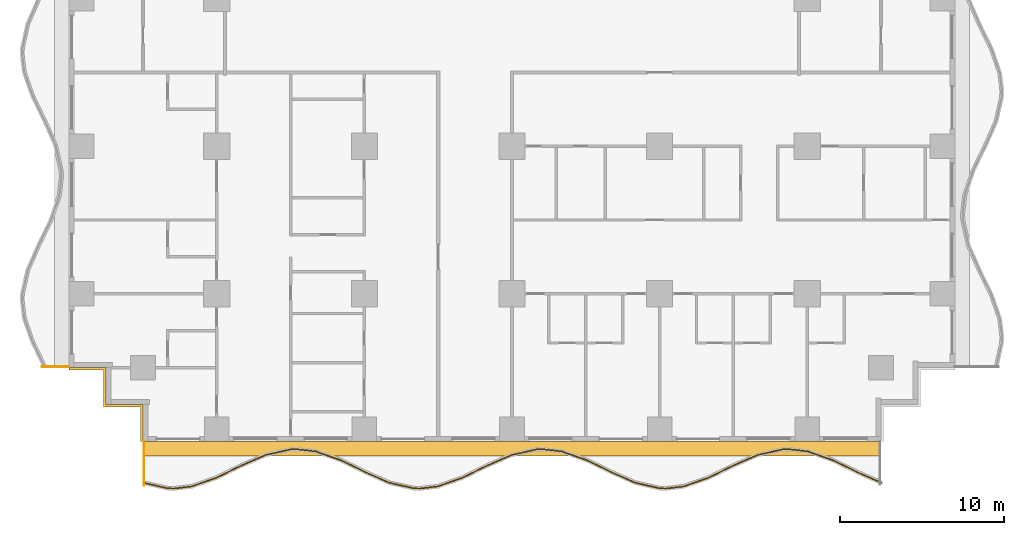
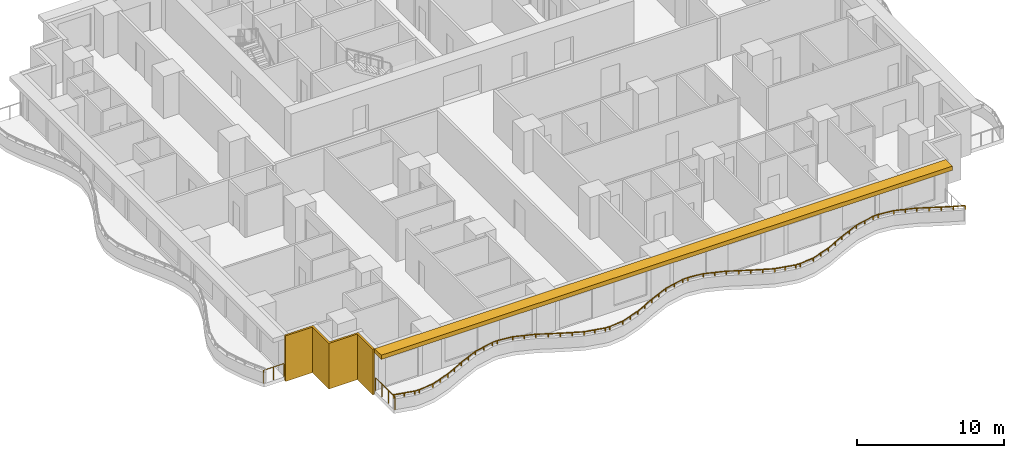
# One storey, part 8 of 14: 3 railings, 2 shading devices.
"""IFC4 building model written with IfcOpenShell, lengths in metres."""

import ifcopenshell
import ifcopenshell.guid

model = None  # the IFC model being written
_history = None  # IfcOwnerHistory: only IFC2X3 demands one
_inside = {}  # id of a spatial element -> (the spatial element, [elements in it])
_under = {}  # id of a project, library or spatial element -> (it, [spatial elements below it])
_declared = {}  # id of a project -> (the project, [libraries it declares])
_typed = {}  # id of a type object -> (the type object, [elements of that type])
_made_of = {}  # id of a material, layer set ... -> (it, [elements and type objects made of it])


def new_model(schema):
    """Start an empty IFC model of exactly this schema.

    Asked for "IFC4X3", IfcOpenShell would pick the latest addendum, in which some entities
    have other attributes; the version numbers below select the first issue.
    IFC2X3 requires an IfcOwnerHistory on every rooted entity: one is made here for all.
    """
    global model, _history
    if schema == "IFC4X3":
        model = ifcopenshell.file(schema_version=(4, 3, 0, 0))
    else:
        model = ifcopenshell.file(schema=schema)
    _inside.clear()
    _under.clear()
    _declared.clear()
    _typed.clear()
    _made_of.clear()
    _history = None
    if model.schema == "IFC2X3":
        org = make("IfcOrganization", Name="unknown")
        user = make(
            "IfcPersonAndOrganization",
            ThePerson=make("IfcPerson", FamilyName="unknown"),
            TheOrganization=org,
        )
        app = make(
            "IfcApplication",
            ApplicationDeveloper=org,
            Version="unknown",
            ApplicationFullName="unknown",
            ApplicationIdentifier="unknown",
        )
        _history = make(
            "IfcOwnerHistory",
            OwningUser=user,
            OwningApplication=app,
            ChangeAction="ADDED",
            CreationDate=0,
        )
    return model


def make(cls, **values):
    """One entity of the class cls with the attributes given. An attribute that is None is left unset."""
    return model.create_entity(
        cls, **{name: value for name, value in values.items() if value is not None}
    )


def rooted(cls, **values):
    """An entity with a GlobalId (a new one), such as an element, a storey or a relation."""
    return make(cls, GlobalId=ifcopenshell.guid.new(), OwnerHistory=_history, **values)


def si_unit(unit_type, name, prefix=None):
    """IfcSIUnit, for example si_unit("LENGTHUNIT", "METRE", prefix="MILLI")."""
    return make("IfcSIUnit", UnitType=unit_type, Prefix=prefix, Name=name)


def assignment(units):
    """IfcUnitAssignment: the units of a project."""
    return None if units is None else make("IfcUnitAssignment", Units=units)


def point(xyz):
    """IfcCartesianPoint."""
    return None if xyz is None else make("IfcCartesianPoint", Coordinates=xyz)


def direction(xyz):
    """IfcDirection."""
    return None if xyz is None else make("IfcDirection", DirectionRatios=xyz)


def frame(location, z_axis=None, x_axis=None):
    """IfcAxis2Placement3D, a coordinate frame: its origin and axes. An axis left out is left unset."""
    return make(
        "IfcAxis2Placement3D",
        Location=point(location),
        Axis=direction(z_axis),
        RefDirection=direction(x_axis),
    )


def frame_2d(location, x_axis=None):
    """IfcAxis2Placement2D, a coordinate frame in the plane: its origin and x axis."""
    return make(
        "IfcAxis2Placement2D", Location=point(location), RefDirection=direction(x_axis)
    )


def origin():
    """The frame at (0, 0, 0) with its axes left unset."""
    return frame((0.0, 0.0, 0.0))


def origin_2d():
    """The frame at (0, 0) in the plane with its x axis left unset."""
    return frame_2d((0.0, 0.0))


def place(relative_to, where):
    """IfcLocalPlacement: puts the frame where relative to a parent placement (None: the world)."""
    return make(
        "IfcLocalPlacement", PlacementRelTo=relative_to, RelativePlacement=where
    )


def context(
    kind, dimensions, precision=None, world=None, true_north=None, identifier=None
):
    """IfcGeometricRepresentationContext, for example the 3D "Model" context."""
    return make(
        "IfcGeometricRepresentationContext",
        ContextIdentifier=identifier,
        ContextType=kind,
        CoordinateSpaceDimension=dimensions,
        Precision=precision,
        WorldCoordinateSystem=world,
        TrueNorth=true_north,
    )


def subcontext(parent, identifier, kind, view, scale=None):
    """IfcGeometricRepresentationSubContext, for example "Body" below "Model"."""
    return make(
        "IfcGeometricRepresentationSubContext",
        ContextIdentifier=identifier,
        ContextType=kind,
        ParentContext=parent,
        TargetScale=scale,
        TargetView=view,
    )


def project(units=None, contexts=None):
    """IfcProject with its units and contexts."""
    return rooted(
        "IfcProject",
        Name="project",
        RepresentationContexts=contexts,
        UnitsInContext=assignment(units),
    )


def spatial(cls, under=None, at=None, **own):
    """A site, building, storey or space (cls), placed at a placement, below another one or the project."""
    s = rooted(cls, ObjectPlacement=at, **own)
    if under is not None:
        _under.setdefault(under.id(), (under, []))[1].append(s)
    return s


def polyline(points):
    """IfcPolyline through the points."""
    return make("IfcPolyline", Points=[point(p) for p in points])


def profile(cls, at=None, kind="AREA", **sizes):
    """A parametric profile (cls). Its sizes go by their IFC names, for example OverallWidth=200.0."""
    return make(cls, ProfileType=kind, Position=at, **sizes)


def rectangle(**sizes):
    """IfcRectangleProfileDef."""
    return profile("IfcRectangleProfileDef", **sizes)


def outline(outer, holes=None, kind="AREA"):
    """IfcArbitraryClosedProfileDef: a profile drawn as a closed curve; with holes, ...WithVoids."""
    if holes is None:
        return make("IfcArbitraryClosedProfileDef", ProfileType=kind, OuterCurve=outer)
    return make(
        "IfcArbitraryProfileDefWithVoids",
        ProfileType=kind,
        OuterCurve=outer,
        InnerCurves=holes,
    )


def extrude(swept, where, along, depth):
    """IfcExtrudedAreaSolid: the profile swept, set in the frame where, extruded along a direction by depth."""
    return make(
        "IfcExtrudedAreaSolid",
        SweptArea=swept,
        Position=where,
        ExtrudedDirection=direction(along),
        Depth=depth,
    )


def shape(context_of_items, identifier, shape_type, items):
    """IfcShapeRepresentation: the items that make up one representation, for example the "Body"."""
    return make(
        "IfcShapeRepresentation",
        ContextOfItems=context_of_items,
        RepresentationIdentifier=identifier,
        RepresentationType=shape_type,
        Items=items,
    )


def material(Name=None, Category=None):
    """IfcMaterial."""
    return make("IfcMaterial", Name=Name, Category=Category)


def layer(
    of_material, thickness, ventilated=None, Name=None, Category=None, Priority=None
):
    """IfcMaterialLayer: one layer of a wall or slab, of a material (None: an air gap)."""
    return make(
        "IfcMaterialLayer",
        Material=of_material,
        LayerThickness=thickness,
        IsVentilated=ventilated,
        Name=Name,
        Category=Category,
        Priority=Priority,
    )


def layer_set(layers, Name=None):
    """IfcMaterialLayerSet."""
    return make("IfcMaterialLayerSet", MaterialLayers=layers, LayerSetName=Name)


def made_of(thing, what):
    """Note that an element or type object is made of a material, layer set ...; save() writes the relation."""
    if what is not None:
        _made_of.setdefault(what.id(), (what, []))[1].append(thing)
    return thing


def type_object(cls, material=None, **own):
    """A type object (cls), such as IfcWallType, which elements share."""
    return made_of(rooted(cls, **own), material)


def element(
    cls,
    number,
    at=None,
    inside=None,
    cuts=None,
    type_object=None,
    material=None,
    context=None,
    identifier="Body",
    shape_type=None,
    held_by="IfcProductDefinitionShape",
    body=None,
    shapes=None,
    **own,
):
    """One element of the class cls, such as IfcWall. Its Tag is "e" and its number.

    at: its placement. inside: the storey or other place that contains it. cuts: it is an
    opening in that element (IfcRelVoidsElement). A single representation is given by context,
    identifier, shape_type and body (its items); several are given by shapes. held_by: the class
    of the entity that holds the representations. save() writes the other relations.
    """
    e = rooted(cls, Tag="e%d" % number, ObjectPlacement=at, **own)
    if body is not None:
        shapes = [shape(context, identifier, shape_type, body)]
    if shapes is not None:
        e.Representation = make(held_by, Representations=shapes)
    if inside is not None:
        _inside.setdefault(inside.id(), (inside, []))[1].append(e)
    if cuts is not None:
        rooted(
            "IfcRelVoidsElement", RelatingBuildingElement=cuts, RelatedOpeningElement=e
        )
    if type_object is not None:
        _typed.setdefault(type_object.id(), (type_object, []))[1].append(e)
    return made_of(e, material)


def aggregate(whole, parts):
    """IfcRelAggregates: a whole, such as a stair, and the parts it consists of."""
    return rooted("IfcRelAggregates", RelatingObject=whole, RelatedObjects=parts)


def save(model, path):
    """Write the relations noted so far, then the file.

    IfcRelAggregates (storeys below a building ...), IfcRelContainedInSpatialStructure (elements
    in a storey), IfcRelDefinesByType, IfcRelAssociatesMaterial and IfcRelDeclares: one each for
    every whole, place, type object, material and project.
    """
    for whole, parts in _under.values():
        aggregate(whole, parts)
    for where, things in _inside.values():
        rooted(
            "IfcRelContainedInSpatialStructure",
            RelatedElements=things,
            RelatingStructure=where,
        )
    for kind, things in _typed.values():
        rooted("IfcRelDefinesByType", RelatedObjects=things, RelatingType=kind)
    for what, things in _made_of.values():
        rooted("IfcRelAssociatesMaterial", RelatedObjects=things, RelatingMaterial=what)
    for by, libraries in _declared.values():
        rooted("IfcRelDeclares", RelatingContext=by, RelatedDefinitions=libraries)
    model.write(path)


model = new_model("IFC4")

# Units and contexts
model_context = context("Model", 3, precision=1e-05, world=origin(), true_north=direction((0.0, 1.0)))
body_context = subcontext(model_context, "Body", "Model", "MODEL_VIEW")
ifc_project = project(units=[si_unit("LENGTHUNIT", "METRE"), si_unit("AREAUNIT", "SQUARE_METRE"), si_unit("VOLUMEUNIT", "CUBIC_METRE"), si_unit("PLANEANGLEUNIT", "RADIAN"), si_unit("MASSUNIT", "GRAM", prefix="KILO")], contexts=[model_context])

# Site, building, storey
site_placement = place(None, origin())
site = spatial("IfcSite", under=ifc_project, at=site_placement, CompositionType="ELEMENT")
building_placement = place(site_placement, origin())
building = spatial("IfcBuilding", under=site, at=building_placement, Name="Orbiselva Terraces", CompositionType="ELEMENT")
storey_placement = place(building_placement, frame((0.0, 0.0, 18.8)))
storey = spatial("IfcBuildingStorey", under=building, at=storey_placement, Name="L04", CompositionType="ELEMENT", Elevation=18.8)

# Railings
ifc_material_1 = material(Name="Bonded two-ply safety glass balustrade, stainless steel posts", Category="steel")
railing_type_1 = type_object("IfcRailingType", Name="ENV-BALUSTRADE-1200", PredefinedType="BALUSTRADE", material=ifc_material_1)
railing_1_placement = place(storey_placement, frame((-22.472623, -25.026563, 0.9)))
element("IfcRailing", 1, at=railing_1_placement, inside=storey, type_object=railing_type_1, Name="Balcony balustrade L04 S", PredefinedType="BALUSTRADE", context=body_context, shape_type="SweptSolid", body=[
    extrude(outline(polyline([(0.028868, 0.0), (0.014434, 0.025), (-0.014434, 0.025), (-0.028868, 0.0), (-0.014434, -0.025), (0.014434, -0.025), (0.028868, 0.0)])), frame((0.0, 0.0, 0.275), z_axis=(0.975721322437, -0.21901575501, 0.0), x_axis=(0.21901575501, 0.975721322437, 0.0)), (0.0, 0.0, 1.0), 1.525954),
    extrude(outline(polyline([(0.028868, 0.0), (0.014434, 0.025), (-0.014434, 0.025), (-0.028868, 0.0), (-0.014434, -0.025), (0.014434, -0.025), (0.028868, 0.0)])), frame((1.488906, -0.334208, 0.275), z_axis=(0.999224931454, -0.039364150694, 0.0), x_axis=(0.039364150694, 0.999224931454, 0.0)), (0.0, 0.0, 1.0), 0.354206),
    extrude(outline(polyline([(0.028868, 0.0), (0.014434, 0.025), (-0.014434, 0.025), (-0.028868, 0.0), (-0.014434, -0.025), (0.014434, -0.025), (0.028868, 0.0)])), frame((1.842837, -0.348151, 0.275), z_axis=(0.993309658409, 0.115481264762, 0.0), x_axis=(-0.115481264762, 0.993309658409, 0.0)), (0.0, 0.0, 1.0), 1.10902),
    extrude(outline(polyline([(0.028868, 0.0), (0.014434, 0.025), (-0.014434, 0.025), (-0.028868, 0.0), (-0.014434, -0.025), (0.014434, -0.025), (0.028868, 0.0)])), frame((2.944437, -0.22008, 0.275), z_axis=(0.943972277814, 0.330024754707, 0.0), x_axis=(-0.330024754707, 0.943972277814, 0.0)), (0.0, 0.0, 1.0), 1.567807),
    extrude(outline(polyline([(0.028868, 0.0), (0.014434, 0.025), (-0.014434, 0.025), (-0.028868, 0.0), (-0.014434, -0.025), (0.014434, -0.025), (0.028868, 0.0)])), frame((4.424403, 0.297335, 0.275), z_axis=(0.89857890432, 0.438811978768, 0.0), x_axis=(-0.438811978768, 0.89857890432, 0.0)), (0.0, 0.0, 1.0), 1.66438),
    extrude(outline(polyline([(0.028868, 0.0), (0.014434, 0.025), (-0.014434, 0.025), (-0.028868, 0.0), (-0.014434, -0.025), (0.014434, -0.025), (0.028868, 0.0)])), frame((5.91998, 1.027685, 0.275), z_axis=(0.915133527237, 0.403150874148, 0.0), x_axis=(-0.403150874148, 0.915133527237, 0.0)), (0.0, 0.0, 1.0), 1.653736),
    extrude(outline(polyline([(0.028868, 0.0), (0.014434, 0.025), (-0.014434, 0.025), (-0.028868, 0.0), (-0.014434, -0.025), (0.014434, -0.025), (0.028868, 0.0)])), frame((7.433369, 1.69439, 0.275), z_axis=(0.97572137947, 0.219015500924, 0.0), x_axis=(-0.219015500924, 0.97572137947, 0.0)), (0.0, 0.0, 1.0), 1.560867),
    extrude(outline(polyline([(0.028868, 0.0), (0.014434, 0.025), (-0.014434, 0.025), (-0.028868, 0.0), (-0.014434, -0.025), (0.014434, -0.025), (0.028868, 0.0)])), frame((8.95634, 2.036244, 0.275), z_axis=(0.999224734286, 0.03936915532, 0.0), x_axis=(-0.03936915532, 0.999224734286, 0.0)), (0.0, 0.0, 1.0), 0.396376),
    extrude(outline(polyline([(0.028868, 0.0), (0.014434, 0.025), (-0.014434, 0.025), (-0.028868, 0.0), (-0.014434, -0.025), (0.014434, -0.025), (0.028868, 0.0)])), frame((9.352409, 2.051849, 0.275), z_axis=(0.993309551734, -0.115482182324, 0.0), x_axis=(0.115482182324, 0.993309551734, 0.0)), (0.0, 0.0, 1.0), 1.156135),
    extrude(outline(polyline([(0.028868, 0.0), (0.014434, 0.025), (-0.014434, 0.025), (-0.028868, 0.0), (-0.014434, -0.025), (0.014434, -0.025), (0.028868, 0.0)])), frame((10.500809, 1.918336, 0.275), z_axis=(0.943972332783, -0.330024597479, 0.0), x_axis=(0.330024597479, 0.943972332783, 0.0)), (0.0, 0.0, 1.0), 1.610253),
    extrude(outline(polyline([(0.028868, 0.0), (0.014434, 0.025), (-0.014434, 0.025), (-0.028868, 0.0), (-0.014434, -0.025), (0.014434, -0.025), (0.028868, 0.0)])), frame((12.020843, 1.386913, 0.275), z_axis=(0.898578870221, -0.438812048596, 0.0), x_axis=(0.438812048596, 0.898578870221, 0.0)), (0.0, 0.0, 1.0), 1.674225),
    extrude(outline(polyline([(0.028868, 0.0), (0.014434, 0.025), (-0.014434, 0.025), (-0.028868, 0.0), (-0.014434, -0.025), (0.014434, -0.025), (0.028868, 0.0)])), frame((13.525266, 0.652243, 0.275), z_axis=(0.915133363686, -0.403151245402, 0.0), x_axis=(0.403151245402, 0.915133363686, 0.0)), (0.0, 0.0, 1.0), 1.624475),
    extrude(outline(polyline([(0.028868, 0.0), (0.014434, 0.025), (-0.014434, 0.025), (-0.028868, 0.0), (-0.014434, -0.025), (0.014434, -0.025), (0.028868, 0.0)])), frame((15.011877, -0.002666, 0.275), z_axis=(0.975721325753, -0.219015740235, 0.0), x_axis=(0.219015740235, 0.975721325753, 0.0)), (0.0, 0.0, 1.0), 1.513782),
    extrude(outline(polyline([(0.028868, 0.0), (0.014434, 0.025), (-0.014434, 0.025), (-0.028868, 0.0), (-0.014434, -0.025), (0.014434, -0.025), (0.028868, 0.0)])), frame((16.488906, -0.334208, 0.275), z_axis=(0.999224931454, -0.039364150694, 0.0), x_axis=(0.039364150694, 0.999224931454, 0.0)), (0.0, 0.0, 1.0), 0.354206),
    extrude(outline(polyline([(0.028868, 0.0), (0.014434, 0.025), (-0.014434, 0.025), (-0.028868, 0.0), (-0.014434, -0.025), (0.014434, -0.025), (0.028868, 0.0)])), frame((16.842837, -0.348151, 0.275), z_axis=(0.993309658409, 0.115481264762, 0.0), x_axis=(-0.115481264762, 0.993309658409, 0.0)), (0.0, 0.0, 1.0), 1.10902),
    extrude(outline(polyline([(0.028868, 0.0), (0.014434, 0.025), (-0.014434, 0.025), (-0.028868, 0.0), (-0.014434, -0.025), (0.014434, -0.025), (0.028868, 0.0)])), frame((17.944437, -0.22008, 0.275), z_axis=(0.943972277814, 0.330024754707, 0.0), x_axis=(-0.330024754707, 0.943972277814, 0.0)), (0.0, 0.0, 1.0), 1.567807),
    extrude(outline(polyline([(0.028868, 0.0), (0.014434, 0.025), (-0.014434, 0.025), (-0.028868, 0.0), (-0.014434, -0.025), (0.014434, -0.025), (0.028868, 0.0)])), frame((19.424403, 0.297335, 0.275), z_axis=(0.89857890432, 0.438811978768, 0.0), x_axis=(-0.438811978768, 0.89857890432, 0.0)), (0.0, 0.0, 1.0), 1.66438),
    extrude(outline(polyline([(0.028868, 0.0), (0.014434, 0.025), (-0.014434, 0.025), (-0.028868, 0.0), (-0.014434, -0.025), (0.014434, -0.025), (0.028868, 0.0)])), frame((20.91998, 1.027685, 0.275), z_axis=(0.915133527237, 0.403150874148, 0.0), x_axis=(-0.403150874148, 0.915133527237, 0.0)), (0.0, 0.0, 1.0), 1.653736),
    extrude(outline(polyline([(0.028868, 0.0), (0.014434, 0.025), (-0.014434, 0.025), (-0.028868, 0.0), (-0.014434, -0.025), (0.014434, -0.025), (0.028868, 0.0)])), frame((22.433369, 1.69439, 0.275), z_axis=(0.97572137947, 0.219015500924, 0.0), x_axis=(-0.219015500924, 0.97572137947, 0.0)), (0.0, 0.0, 1.0), 1.560867),
    extrude(outline(polyline([(0.028868, 0.0), (0.014434, 0.025), (-0.014434, 0.025), (-0.028868, 0.0), (-0.014434, -0.025), (0.014434, -0.025), (0.028868, 0.0)])), frame((23.95634, 2.036244, 0.275), z_axis=(0.999224734286, 0.03936915532, 0.0), x_axis=(-0.03936915532, 0.999224734286, 0.0)), (0.0, 0.0, 1.0), 0.396376),
    extrude(outline(polyline([(0.028868, 0.0), (0.014434, 0.025), (-0.014434, 0.025), (-0.028868, 0.0), (-0.014434, -0.025), (0.014434, -0.025), (0.028868, 0.0)])), frame((24.352409, 2.051849, 0.275), z_axis=(0.993309551734, -0.115482182324, 0.0), x_axis=(0.115482182324, 0.993309551734, 0.0)), (0.0, 0.0, 1.0), 1.156135),
    extrude(outline(polyline([(0.028868, 0.0), (0.014434, 0.025), (-0.014434, 0.025), (-0.028868, 0.0), (-0.014434, -0.025), (0.014434, -0.025), (0.028868, 0.0)])), frame((25.500809, 1.918336, 0.275), z_axis=(0.943972332783, -0.330024597479, 0.0), x_axis=(0.330024597479, 0.943972332783, 0.0)), (0.0, 0.0, 1.0), 1.610253),
    extrude(outline(polyline([(0.028868, 0.0), (0.014434, 0.025), (-0.014434, 0.025), (-0.028868, 0.0), (-0.014434, -0.025), (0.014434, -0.025), (0.028868, 0.0)])), frame((27.020843, 1.386913, 0.275), z_axis=(0.898578870221, -0.438812048596, 0.0), x_axis=(0.438812048596, 0.898578870221, 0.0)), (0.0, 0.0, 1.0), 1.674225),
    extrude(outline(polyline([(0.028868, 0.0), (0.014434, 0.025), (-0.014434, 0.025), (-0.028868, 0.0), (-0.014434, -0.025), (0.014434, -0.025), (0.028868, 0.0)])), frame((28.525266, 0.652243, 0.275), z_axis=(0.915133363686, -0.403151245402, 0.0), x_axis=(0.403151245402, 0.915133363686, 0.0)), (0.0, 0.0, 1.0), 1.624475),
    extrude(outline(polyline([(0.028868, 0.0), (0.014434, 0.025), (-0.014434, 0.025), (-0.028868, 0.0), (-0.014434, -0.025), (0.014434, -0.025), (0.028868, 0.0)])), frame((30.011877, -0.002666, 0.275), z_axis=(0.975721325753, -0.219015740235, 0.0), x_axis=(0.219015740235, 0.975721325753, 0.0)), (0.0, 0.0, 1.0), 1.513782),
    extrude(outline(polyline([(0.028868, 0.0), (0.014434, 0.025), (-0.014434, 0.025), (-0.028868, 0.0), (-0.014434, -0.025), (0.014434, -0.025), (0.028868, 0.0)])), frame((31.488906, -0.334208, 0.275), z_axis=(0.999224931454, -0.039364150694, 0.0), x_axis=(0.039364150694, 0.999224931454, 0.0)), (0.0, 0.0, 1.0), 0.354206),
    extrude(outline(polyline([(0.028868, 0.0), (0.014434, 0.025), (-0.014434, 0.025), (-0.028868, 0.0), (-0.014434, -0.025), (0.014434, -0.025), (0.028868, 0.0)])), frame((31.842837, -0.348151, 0.275), z_axis=(0.993309658409, 0.115481264762, 0.0), x_axis=(-0.115481264762, 0.993309658409, 0.0)), (0.0, 0.0, 1.0), 1.10902),
    extrude(outline(polyline([(0.028868, 0.0), (0.014434, 0.025), (-0.014434, 0.025), (-0.028868, 0.0), (-0.014434, -0.025), (0.014434, -0.025), (0.028868, 0.0)])), frame((32.944437, -0.22008, 0.275), z_axis=(0.943972277814, 0.330024754707, 0.0), x_axis=(-0.330024754707, 0.943972277814, 0.0)), (0.0, 0.0, 1.0), 1.567807),
    extrude(outline(polyline([(0.028868, 0.0), (0.014434, 0.025), (-0.014434, 0.025), (-0.028868, 0.0), (-0.014434, -0.025), (0.014434, -0.025), (0.028868, 0.0)])), frame((34.424403, 0.297335, 0.275), z_axis=(0.89857890432, 0.438811978768, 0.0), x_axis=(-0.438811978768, 0.89857890432, 0.0)), (0.0, 0.0, 1.0), 1.66438),
    extrude(outline(polyline([(0.028868, 0.0), (0.014434, 0.025), (-0.014434, 0.025), (-0.028868, 0.0), (-0.014434, -0.025), (0.014434, -0.025), (0.028868, 0.0)])), frame((35.91998, 1.027685, 0.275), z_axis=(0.915133527237, 0.403150874148, 0.0), x_axis=(-0.403150874148, 0.915133527237, 0.0)), (0.0, 0.0, 1.0), 1.653736),
    extrude(outline(polyline([(0.028868, 0.0), (0.014434, 0.025), (-0.014434, 0.025), (-0.028868, 0.0), (-0.014434, -0.025), (0.014434, -0.025), (0.028868, 0.0)])), frame((37.433369, 1.69439, 0.275), z_axis=(0.97572137947, 0.219015500924, 0.0), x_axis=(-0.219015500924, 0.97572137947, 0.0)), (0.0, 0.0, 1.0), 1.560867),
    extrude(outline(polyline([(0.028868, 0.0), (0.014434, 0.025), (-0.014434, 0.025), (-0.028868, 0.0), (-0.014434, -0.025), (0.014434, -0.025), (0.028868, 0.0)])), frame((38.95634, 2.036244, 0.275), z_axis=(0.999224734286, 0.03936915532, 0.0), x_axis=(-0.03936915532, 0.999224734286, 0.0)), (0.0, 0.0, 1.0), 0.396376),
    extrude(outline(polyline([(0.028868, 0.0), (0.014434, 0.025), (-0.014434, 0.025), (-0.028868, 0.0), (-0.014434, -0.025), (0.014434, -0.025), (0.028868, 0.0)])), frame((39.352409, 2.051849, 0.275), z_axis=(0.993309551734, -0.115482182324, 0.0), x_axis=(0.115482182324, 0.993309551734, 0.0)), (0.0, 0.0, 1.0), 1.156135),
    extrude(outline(polyline([(0.028868, 0.0), (0.014434, 0.025), (-0.014434, 0.025), (-0.028868, 0.0), (-0.014434, -0.025), (0.014434, -0.025), (0.028868, 0.0)])), frame((40.500809, 1.918336, 0.275), z_axis=(0.943972332783, -0.330024597479, 0.0), x_axis=(0.330024597479, 0.943972332783, 0.0)), (0.0, 0.0, 1.0), 1.610253),
    extrude(outline(polyline([(0.028868, 0.0), (0.014434, 0.025), (-0.014434, 0.025), (-0.028868, 0.0), (-0.014434, -0.025), (0.014434, -0.025), (0.028868, 0.0)])), frame((42.020843, 1.386913, 0.275), z_axis=(0.898578870221, -0.438812048596, 0.0), x_axis=(0.438812048596, 0.898578870221, 0.0)), (0.0, 0.0, 1.0), 1.674225),
    extrude(outline(polyline([(0.028868, 0.0), (0.014434, 0.025), (-0.014434, 0.025), (-0.028868, 0.0), (-0.014434, -0.025), (0.014434, -0.025), (0.028868, 0.0)])), frame((43.525266, 0.652243, 0.275), z_axis=(0.915133498047, -0.403150940408, 0.0), x_axis=(0.403150940408, 0.915133498047, 0.0)), (0.0, 0.0, 1.0), 1.636648),
    extrude(rectangle(XDim=0.05, YDim=0.05, at=origin_2d()), origin(), (0.0, 0.0, 1.0), 0.25),
    extrude(rectangle(XDim=0.05, YDim=0.05, at=origin_2d()), frame((0.744453, -0.167104, 0.0)), (0.0, 0.0, 1.0), 0.25),
    extrude(rectangle(XDim=0.05, YDim=0.05, at=origin_2d()), frame((1.488906, -0.334208, 0.0)), (0.0, 0.0, 1.0), 0.25),
    extrude(rectangle(XDim=0.05, YDim=0.05, at=origin_2d()), frame((1.842837, -0.348151, 0.0)), (0.0, 0.0, 1.0), 0.25),
    extrude(rectangle(XDim=0.05, YDim=0.05, at=origin_2d()), frame((2.944437, -0.22008, 0.0)), (0.0, 0.0, 1.0), 0.25),
    extrude(rectangle(XDim=0.05, YDim=0.05, at=origin_2d()), frame((3.68442, 0.038628, 0.0)), (0.0, 0.0, 1.0), 0.25),
    extrude(rectangle(XDim=0.05, YDim=0.05, at=origin_2d()), frame((4.424403, 0.297335, 0.0)), (0.0, 0.0, 1.0), 0.25),
    extrude(rectangle(XDim=0.05, YDim=0.05, at=origin_2d()), frame((5.172191, 0.66251, 0.0)), (0.0, 0.0, 1.0), 0.25),
    extrude(rectangle(XDim=0.05, YDim=0.05, at=origin_2d()), frame((5.91998, 1.027685, 0.0)), (0.0, 0.0, 1.0), 0.25),
    extrude(rectangle(XDim=0.05, YDim=0.05, at=origin_2d()), frame((6.676674, 1.361037, 0.0)), (0.0, 0.0, 1.0), 0.25),
    extrude(rectangle(XDim=0.05, YDim=0.05, at=origin_2d()), frame((7.433369, 1.69439, 0.0)), (0.0, 0.0, 1.0), 0.25),
    extrude(rectangle(XDim=0.05, YDim=0.05, at=origin_2d()), frame((8.194854, 1.865317, 0.0)), (0.0, 0.0, 1.0), 0.25),
    extrude(rectangle(XDim=0.05, YDim=0.05, at=origin_2d()), frame((8.95634, 2.036244, 0.0)), (0.0, 0.0, 1.0), 0.25),
    extrude(rectangle(XDim=0.05, YDim=0.05, at=origin_2d()), frame((9.352409, 2.051849, 0.0)), (0.0, 0.0, 1.0), 0.25),
    extrude(rectangle(XDim=0.05, YDim=0.05, at=origin_2d()), frame((10.500809, 1.918336, 0.0)), (0.0, 0.0, 1.0), 0.25),
    extrude(rectangle(XDim=0.05, YDim=0.05, at=origin_2d()), frame((11.260826, 1.652624, 0.0)), (0.0, 0.0, 1.0), 0.25),
    extrude(rectangle(XDim=0.05, YDim=0.05, at=origin_2d()), frame((12.020843, 1.386913, 0.0)), (0.0, 0.0, 1.0), 0.25),
    extrude(rectangle(XDim=0.05, YDim=0.05, at=origin_2d()), frame((12.773054, 1.019578, 0.0)), (0.0, 0.0, 1.0), 0.25),
    extrude(rectangle(XDim=0.05, YDim=0.05, at=origin_2d()), frame((13.525266, 0.652243, 0.0)), (0.0, 0.0, 1.0), 0.25),
    extrude(rectangle(XDim=0.05, YDim=0.05, at=origin_2d()), frame((14.268571, 0.324788, 0.0)), (0.0, 0.0, 1.0), 0.25),
    extrude(rectangle(XDim=0.05, YDim=0.05, at=origin_2d()), frame((15.011877, -0.002666, 0.0)), (0.0, 0.0, 1.0), 0.25),
    extrude(rectangle(XDim=0.05, YDim=0.05, at=origin_2d()), frame((15.750392, -0.168437, 0.0)), (0.0, 0.0, 1.0), 0.25),
    extrude(rectangle(XDim=0.05, YDim=0.05, at=origin_2d()), frame((16.488906, -0.334208, 0.0)), (0.0, 0.0, 1.0), 0.25),
    extrude(rectangle(XDim=0.05, YDim=0.05, at=origin_2d()), frame((16.842837, -0.348151, 0.0)), (0.0, 0.0, 1.0), 0.25),
    extrude(rectangle(XDim=0.05, YDim=0.05, at=origin_2d()), frame((17.944437, -0.22008, 0.0)), (0.0, 0.0, 1.0), 0.25),
    extrude(rectangle(XDim=0.05, YDim=0.05, at=origin_2d()), frame((18.68442, 0.038628, 0.0)), (0.0, 0.0, 1.0), 0.25),
    extrude(rectangle(XDim=0.05, YDim=0.05, at=origin_2d()), frame((19.424403, 0.297335, 0.0)), (0.0, 0.0, 1.0), 0.25),
    extrude(rectangle(XDim=0.05, YDim=0.05, at=origin_2d()), frame((20.172191, 0.66251, 0.0)), (0.0, 0.0, 1.0), 0.25),
    extrude(rectangle(XDim=0.05, YDim=0.05, at=origin_2d()), frame((20.91998, 1.027685, 0.0)), (0.0, 0.0, 1.0), 0.25),
    extrude(rectangle(XDim=0.05, YDim=0.05, at=origin_2d()), frame((21.676674, 1.361037, 0.0)), (0.0, 0.0, 1.0), 0.25),
    extrude(rectangle(XDim=0.05, YDim=0.05, at=origin_2d()), frame((22.433369, 1.69439, 0.0)), (0.0, 0.0, 1.0), 0.25),
    extrude(rectangle(XDim=0.05, YDim=0.05, at=origin_2d()), frame((23.194854, 1.865317, 0.0)), (0.0, 0.0, 1.0), 0.25),
    extrude(rectangle(XDim=0.05, YDim=0.05, at=origin_2d()), frame((23.95634, 2.036244, 0.0)), (0.0, 0.0, 1.0), 0.25),
    extrude(rectangle(XDim=0.05, YDim=0.05, at=origin_2d()), frame((24.352409, 2.051849, 0.0)), (0.0, 0.0, 1.0), 0.25),
    extrude(rectangle(XDim=0.05, YDim=0.05, at=origin_2d()), frame((25.500809, 1.918336, 0.0)), (0.0, 0.0, 1.0), 0.25),
    extrude(rectangle(XDim=0.05, YDim=0.05, at=origin_2d()), frame((26.260826, 1.652624, 0.0)), (0.0, 0.0, 1.0), 0.25),
    extrude(rectangle(XDim=0.05, YDim=0.05, at=origin_2d()), frame((27.020843, 1.386913, 0.0)), (0.0, 0.0, 1.0), 0.25),
    extrude(rectangle(XDim=0.05, YDim=0.05, at=origin_2d()), frame((27.773054, 1.019578, 0.0)), (0.0, 0.0, 1.0), 0.25),
    extrude(rectangle(XDim=0.05, YDim=0.05, at=origin_2d()), frame((28.525266, 0.652243, 0.0)), (0.0, 0.0, 1.0), 0.25),
    extrude(rectangle(XDim=0.05, YDim=0.05, at=origin_2d()), frame((29.268572, 0.324788, 0.0)), (0.0, 0.0, 1.0), 0.25),
    extrude(rectangle(XDim=0.05, YDim=0.05, at=origin_2d()), frame((30.011877, -0.002666, 0.0)), (0.0, 0.0, 1.0), 0.25),
    extrude(rectangle(XDim=0.05, YDim=0.05, at=origin_2d()), frame((30.750392, -0.168437, 0.0)), (0.0, 0.0, 1.0), 0.25),
    extrude(rectangle(XDim=0.05, YDim=0.05, at=origin_2d()), frame((31.488906, -0.334208, 0.0)), (0.0, 0.0, 1.0), 0.25),
    extrude(rectangle(XDim=0.05, YDim=0.05, at=origin_2d()), frame((31.842837, -0.348151, 0.0)), (0.0, 0.0, 1.0), 0.25),
    extrude(rectangle(XDim=0.05, YDim=0.05, at=origin_2d()), frame((32.944437, -0.22008, 0.0)), (0.0, 0.0, 1.0), 0.25),
    extrude(rectangle(XDim=0.05, YDim=0.05, at=origin_2d()), frame((33.68442, 0.038628, 0.0)), (0.0, 0.0, 1.0), 0.25),
    extrude(rectangle(XDim=0.05, YDim=0.05, at=origin_2d()), frame((34.424403, 0.297335, 0.0)), (0.0, 0.0, 1.0), 0.25),
    extrude(rectangle(XDim=0.05, YDim=0.05, at=origin_2d()), frame((35.172192, 0.66251, 0.0)), (0.0, 0.0, 1.0), 0.25),
    extrude(rectangle(XDim=0.05, YDim=0.05, at=origin_2d()), frame((35.91998, 1.027685, 0.0)), (0.0, 0.0, 1.0), 0.25),
    extrude(rectangle(XDim=0.05, YDim=0.05, at=origin_2d()), frame((36.676674, 1.361037, 0.0)), (0.0, 0.0, 1.0), 0.25),
    extrude(rectangle(XDim=0.05, YDim=0.05, at=origin_2d()), frame((37.433369, 1.69439, 0.0)), (0.0, 0.0, 1.0), 0.25),
    extrude(rectangle(XDim=0.05, YDim=0.05, at=origin_2d()), frame((38.194854, 1.865317, 0.0)), (0.0, 0.0, 1.0), 0.25),
    extrude(rectangle(XDim=0.05, YDim=0.05, at=origin_2d()), frame((38.95634, 2.036244, 0.0)), (0.0, 0.0, 1.0), 0.25),
    extrude(rectangle(XDim=0.05, YDim=0.05, at=origin_2d()), frame((39.352409, 2.051849, 0.0)), (0.0, 0.0, 1.0), 0.25),
    extrude(rectangle(XDim=0.05, YDim=0.05, at=origin_2d()), frame((40.500809, 1.918336, 0.0)), (0.0, 0.0, 1.0), 0.25),
    extrude(rectangle(XDim=0.05, YDim=0.05, at=origin_2d()), frame((41.260826, 1.652624, 0.0)), (0.0, 0.0, 1.0), 0.25),
    extrude(rectangle(XDim=0.05, YDim=0.05, at=origin_2d()), frame((42.020843, 1.386913, 0.0)), (0.0, 0.0, 1.0), 0.25),
    extrude(rectangle(XDim=0.05, YDim=0.05, at=origin_2d()), frame((42.773054, 1.019578, 0.0)), (0.0, 0.0, 1.0), 0.25),
    extrude(rectangle(XDim=0.05, YDim=0.05, at=origin_2d()), frame((43.525266, 0.652243, 0.0)), (0.0, 0.0, 1.0), 0.25),
    extrude(rectangle(XDim=0.05, YDim=0.05, at=origin_2d()), frame((44.274142, 0.322335, 0.0)), (0.0, 0.0, 1.0), 0.25),
    extrude(rectangle(XDim=0.05, YDim=0.05, at=origin_2d()), frame((45.023017, -0.007573, 0.0)), (0.0, 0.0, 1.0), 0.25),
])
ifc_material_2 = material(Name="Stainless steel rail and posts", Category="steel")
railing_type_2 = type_object("IfcRailingType", Name="ENV-GUARD-1105", PredefinedType="BALUSTRADE", material=ifc_material_2)
railing_2_placement = place(storey_placement, frame((-22.44, -25.169584, 0.0)))
element("IfcRailing", 2, at=railing_2_placement, inside=storey, type_object=railing_type_2, Name="Balcony end guard L04 S", PredefinedType="BALUSTRADE", context=body_context, shape_type="SweptSolid", body=[
    extrude(outline(polyline([(0.028868, 0.0), (0.014434, 0.025), (-0.014434, 0.025), (-0.028868, 0.0), (-0.014434, -0.025), (0.014434, -0.025), (0.028868, 0.0)])), frame((0.0, 0.0, 1.08), z_axis=(0.0, 1.0, 0.0), x_axis=(-1.0, 0.0, 0.0)), (0.0, 0.0, 1.0), 2.644584),
    extrude(rectangle(XDim=0.05, YDim=0.05, at=origin_2d()), origin(), (0.0, 0.0, 1.0), 1.055),
    extrude(rectangle(XDim=0.05, YDim=0.05, at=origin_2d()), frame((0.0, 0.881528, 0.0)), (0.0, 0.0, 1.0), 1.055),
    extrude(rectangle(XDim=0.05, YDim=0.05, at=origin_2d()), frame((0.0, 1.763056, 0.0)), (0.0, 0.0, 1.0), 1.055),
    extrude(rectangle(XDim=0.05, YDim=0.05, at=origin_2d()), frame((0.0, 2.644584, 0.0)), (0.0, 0.0, 1.0), 1.055),
])
railing_3_placement = place(storey_placement, frame((-28.642123, -17.94, 0.0)))
element("IfcRailing", 3, at=railing_3_placement, inside=storey, type_object=railing_type_2, Name="Balcony end guard L04 W", PredefinedType="BALUSTRADE", context=body_context, shape_type="SweptSolid", body=[
    extrude(outline(polyline([(0.028868, 0.0), (0.014434, 0.025), (-0.014434, 0.025), (-0.028868, 0.0), (-0.014434, -0.025), (0.014434, -0.025), (0.028868, 0.0)])), frame((0.0, 0.0, 1.08), z_axis=(1.0, 0.0, 0.0), x_axis=(0.0, 1.0, 0.0)), (0.0, 0.0, 1.0), 1.617123),
    extrude(rectangle(XDim=0.05, YDim=0.05, at=origin_2d()), origin(), (0.0, 0.0, 1.0), 1.055),
    extrude(rectangle(XDim=0.05, YDim=0.05, at=origin_2d()), frame((0.808562, 0.0, 0.0)), (0.0, 0.0, 1.0), 1.055),
    extrude(rectangle(XDim=0.05, YDim=0.05, at=origin_2d()), frame((1.617123, 0.0, 0.0)), (0.0, 0.0, 1.0), 1.055),
])

# Shading devices
ifc_material_3 = material(Name="Terracotta louvre screen", Category="masonry")
ifc_layer_1 = layer(ifc_material_3, 0.15)
ifc_layer_set_1 = layer_set([ifc_layer_1], Name="Terracotta louvre screen")
shading_device_type_1 = type_object("IfcShadingDeviceType", Name="ENV-SCREEN-150", PredefinedType="USERDEFINED", material=ifc_layer_set_1)
shading_device_1_placement = place(storey_placement, frame((0.0, 0.0, -0.3)))
element("IfcShadingDevice", 4, at=shading_device_1_placement, inside=storey, type_object=shading_device_type_1, Name="Louvre screen L04 SW", ObjectType="SCREEN", PredefinedType="USERDEFINED", context=body_context, shape_type="SweptSolid", body=[
    extrude(outline(polyline([(-27.0, -18.15), (-24.9, -18.15), (-24.9, -20.4), (-22.65, -20.4), (-22.65, -22.5), (-22.5, -22.5), (-22.5, -20.25), (-24.75, -20.25), (-24.75, -18.0), (-27.0, -18.0), (-27.0, -18.15)])), origin(), (0.0, 0.0, 1.0), 3.8),
])
ifc_material_4 = material(Name="Terracotta baguette sunshade", Category="masonry")
ifc_layer_2 = layer(ifc_material_4, 0.35)
ifc_layer_set_2 = layer_set([ifc_layer_2], Name="Terracotta baguette sunshade")
shading_device_type_2 = type_object("IfcShadingDeviceType", Name="ENV-SUNSHADE-900x350", PredefinedType="USERDEFINED", material=ifc_layer_set_2)
shading_device_2_placement = place(storey_placement, frame((0.0, 0.0, 3.15)))
element("IfcShadingDevice", 5, at=shading_device_2_placement, inside=storey, type_object=shading_device_type_2, Name="Sunshade band L04 S", ObjectType="SUNSHADE", PredefinedType="USERDEFINED", context=body_context, shape_type="SweptSolid", body=[
    extrude(outline(polyline([(-22.5, -23.4), (22.5, -23.4), (22.5, -22.5), (-22.5, -22.5), (-22.5, -23.4)])), origin(), (0.0, 0.0, 1.0), 0.35),
])

save(model, "model.ifc")
